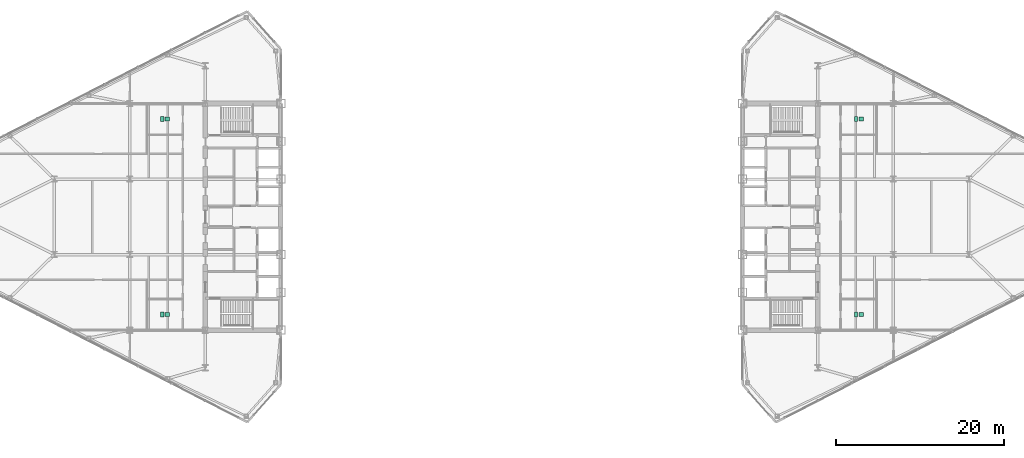
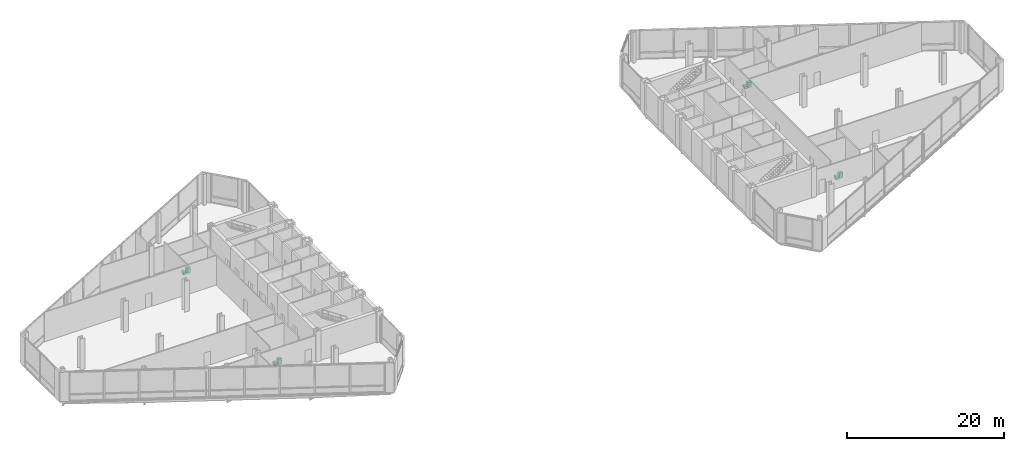
# One storey, part 22 of 22: 8 sanitary terminals.
"""IFC4 building model written with IfcOpenShell, lengths in metres."""

from ifc_helpers import new_model, si_unit, direction, frame, origin, origin_2d, place, context, subcontext, project, spatial, rectangle, extrude, source, transform, mapped, material, type_object, type_shapes, element, save


model = new_model("IFC4")

# Units and contexts
model_context = context("Model", 3, precision=1e-05, world=origin(), true_north=direction((0.0, 1.0)))
body_context = subcontext(model_context, "Body", "Model", "MODEL_VIEW")
ifc_project = project(units=[si_unit("LENGTHUNIT", "METRE"), si_unit("AREAUNIT", "SQUARE_METRE"), si_unit("VOLUMEUNIT", "CUBIC_METRE"), si_unit("PLANEANGLEUNIT", "RADIAN"), si_unit("MASSUNIT", "GRAM", prefix="KILO")], contexts=[model_context])

# Site, building, storey
site_placement = place(None, origin())
site = spatial("IfcSite", under=ifc_project, at=site_placement, CompositionType="ELEMENT")
building_placement = place(site_placement, origin())
building = spatial("IfcBuilding", under=site, at=building_placement, Name="Seokmaru Belvedere", CompositionType="ELEMENT")
storey_placement = place(building_placement, frame((0.0, 0.0, 135.60009765625)))
storey = spatial("IfcBuildingStorey", under=building, at=storey_placement, Name="L36", CompositionType="ELEMENT", Elevation=135.60009765625)

# Sanitary terminals
ifc_material = material(Name="Vitreous China Sanitaryware")
sanitary_terminal_type_1 = type_object("IfcSanitaryTerminalType", Name="Wall-Hung Vitreous China WC Pan", PredefinedType="TOILETPAN", material=ifc_material)
shared_shape_1 = source(origin(), body_context, "Body", "SweptSolid", [
    extrude(rectangle(XDim=0.3798828125, YDim=0.56005859375, at=origin_2d()), origin(), (0.0, 0.0, 1.0), 0.419921875),
])
type_shapes(sanitary_terminal_type_1, [shared_shape_1])
for number, where, z_axis, x_axis, name in (
    (1, (-41.64990234375, -11.64990234375, 0.0), (0.0, 0.0, 1.0), (1.0, 0.0, 0.0), "L36 Vitreous China WC 0198"),
    (2, (-41.64990234375, 11.64990234375, 0.0), (0.0, 0.0, 1.0), (1.0, 0.0, 0.0), "L36 Vitreous China WC 0199"),
    (3, (41.050048828125, -11.64990234375, 0.0), (0.0, 0.0, 1.0), (1.0, 0.0, 0.0), "L36 Vitreous China WC 0200"),
    (4, (41.050048828125, 11.64990234375, 0.0), (0.0, 0.0, 1.0), (1.0, 0.0, 0.0), "L36 Vitreous China WC 0201"),
):
    element("IfcSanitaryTerminal", number, at=place(storey_placement, frame(where, z_axis=z_axis, x_axis=x_axis)), inside=storey, type_object=sanitary_terminal_type_1, Name=name, PredefinedType="TOILETPAN", context=body_context, shape_type="MappedRepresentation", body=[
        mapped(shared_shape_1, transform((0.0, 0.0, 0.0), scale=1.0)),
    ])
sanitary_terminal_type_2 = type_object("IfcSanitaryTerminalType", Name="Countertop Ceramic Washhand Basin", PredefinedType="WASHHANDBASIN", material=ifc_material)
shared_shape_2 = source(origin(), body_context, "Body", "SweptSolid", [
    extrude(rectangle(XDim=0.550048828125, YDim=0.449951171875, at=origin_2d()), origin(), (0.0, 0.0, 1.0), 0.820068359375),
])
type_shapes(sanitary_terminal_type_2, [shared_shape_2])
for number, where, z_axis, x_axis, name in (
    (5, (-41.050048828125, -11.64990234375, 0.0), (0.0, 0.0, 1.0), (1.0, 0.0, 0.0), "L36 Ceramic Washhand Basin 0198"),
    (6, (-41.050048828125, 11.64990234375, 0.0), (0.0, 0.0, 1.0), (1.0, 0.0, 0.0), "L36 Ceramic Washhand Basin 0199"),
    (7, (41.64990234375, -11.64990234375, 0.0), (0.0, 0.0, 1.0), (1.0, 0.0, 0.0), "L36 Ceramic Washhand Basin 0200"),
    (8, (41.64990234375, 11.64990234375, 0.0), (0.0, 0.0, 1.0), (1.0, 0.0, 0.0), "L36 Ceramic Washhand Basin 0201"),
):
    element("IfcSanitaryTerminal", number, at=place(storey_placement, frame(where, z_axis=z_axis, x_axis=x_axis)), inside=storey, type_object=sanitary_terminal_type_2, Name=name, PredefinedType="WASHHANDBASIN", context=body_context, shape_type="MappedRepresentation", body=[
        mapped(shared_shape_2, transform((0.0, 0.0, 0.0), scale=1.0)),
    ])

save(model, "model.ifc")
